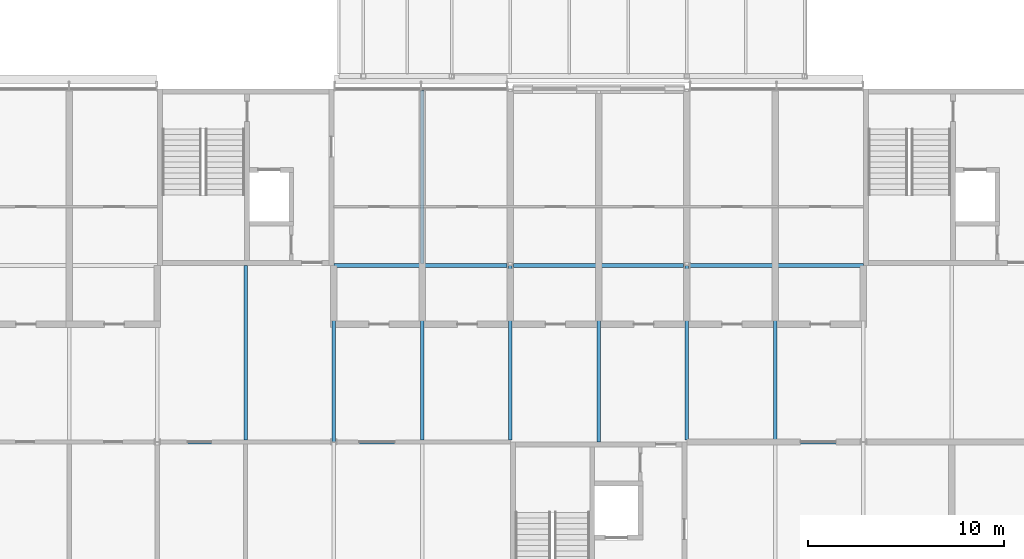
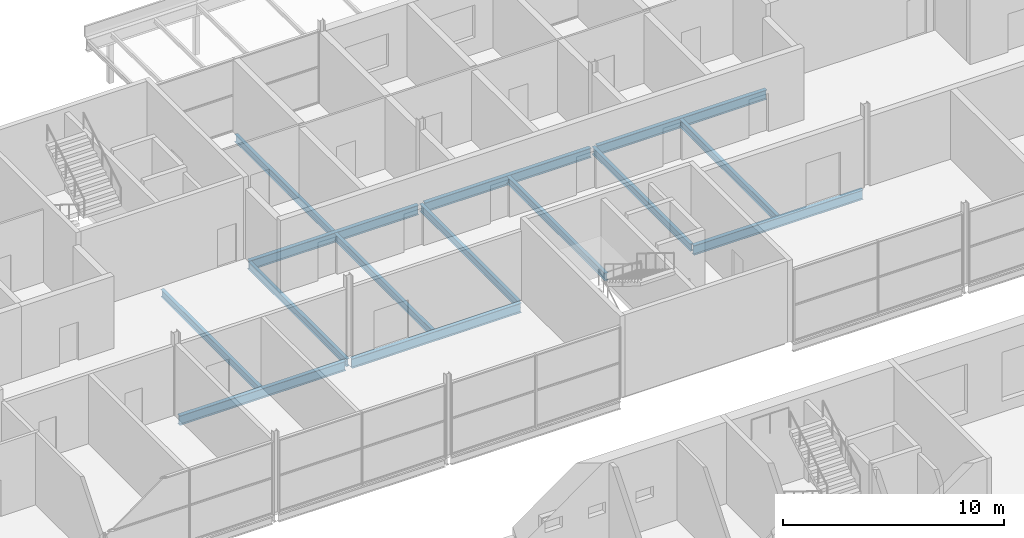
# One storey, part 48 of 97: 14 beams.
"""IFC4 building model written with IfcOpenShell, lengths in metres."""

from ifc_helpers import new_model, si_unit, direction, frame, origin, origin_2d, place, context, subcontext, project, spatial, i_section, extrude, material, material_profile, profile_set, type_object, element, save


model = new_model("IFC4")

# Units and contexts
model_context = context("Model", 3, precision=1e-05, world=origin(), true_north=direction((0.0, 1.0)))
body_context = subcontext(model_context, "Body", "Model", "MODEL_VIEW")
ifc_project = project(units=[si_unit("LENGTHUNIT", "METRE"), si_unit("AREAUNIT", "SQUARE_METRE"), si_unit("VOLUMEUNIT", "CUBIC_METRE"), si_unit("PLANEANGLEUNIT", "RADIAN"), si_unit("MASSUNIT", "GRAM", prefix="KILO")], contexts=[model_context])

# Site, building, storey
site_placement = place(None, origin())
site = spatial("IfcSite", under=ifc_project, at=site_placement, CompositionType="ELEMENT")
building_placement = place(site_placement, origin())
building = spatial("IfcBuilding", under=site, at=building_placement, Name="Corbel Yard City Hall", CompositionType="ELEMENT")
storey_placement = place(building_placement, frame((0.0, 0.0, 6.0)))
storey = spatial("IfcBuildingStorey", under=building, at=storey_placement, Name="L01", CompositionType="ELEMENT", Elevation=6.0)

# Beams
ifc_material = material(Name="Steel Grade 300 (300 MPa yield)", Category="steel")
ifc_material_profile_1 = material_profile(ifc_material, i_section(OverallWidth=0.177978515625, OverallDepth=0.403076171875, WebThickness=0.007568359375, FlangeThickness=0.010986328125, at=origin_2d()), Name="410UB53.7")
ifc_profile_set_1 = profile_set([ifc_material_profile_1], Name="Steel Grade 300 (300 MPa yield)")
beam_type_1 = type_object("IfcBeamType", Name="Beam 410UB53.7", PredefinedType="BEAM", material=ifc_profile_set_1)
for number, where, z_axis, x_axis, name in (
    (1, (72.0, 99.0078125, -0.3515625), (0.0, 1.0, 0.0), (-1.0, 0.0, 0.0), "Beam 410UB53.7 SB6 L01floor"),
    (2, (81.0, 99.1044921875, -0.3515625), (0.0, 1.0, 0.0), (-1.0, 0.0, 0.0), "Beam 410UB53.7 SB6 L01floor"),
    (3, (90.0, 99.1044921875, -0.3515625), (0.0, 1.0, 0.0), (-1.0, 0.0, 0.0), "Beam 410UB53.7 SB6 L01floor"),
):
    element("IfcBeam", number, at=place(storey_placement, frame(where, z_axis=z_axis, x_axis=x_axis)), inside=storey, type_object=beam_type_1, Name=name, PredefinedType="BEAM", context=body_context, shape_type="SweptSolid", body=[
        extrude(i_section(OverallWidth=0.177978515625, OverallDepth=0.403076171875, WebThickness=0.007568359375, FlangeThickness=0.010986328125, at=origin_2d()), origin(), (0.0, 0.0, 1.0), 8.8876953125),
    ])
ifc_material_profile_2 = material_profile(ifc_material, i_section(OverallWidth=0.208984375, OverallDepth=0.528076171875, WebThickness=0.009521484375, FlangeThickness=0.01318359375, at=origin_2d()), Name="530UB82.0")
ifc_profile_set_2 = profile_set([ifc_material_profile_2], Name="Steel Grade 300 (300 MPa yield)")
beam_type_2 = type_object("IfcBeamType", Name="Girder 530UB82.0", PredefinedType="BEAM", material=ifc_profile_set_2)
beam_1_placement = place(storey_placement, frame((63.16357421875, 99.0, -0.4140625), z_axis=(1.0, 0.0, 0.0), x_axis=(0.0, 1.0, 0.0)))
element("IfcBeam", 4, at=beam_1_placement, inside=storey, type_object=beam_type_2, Name="Girder 530UB82.0 GB3 L01floor", PredefinedType="BEAM", context=body_context, shape_type="SweptSolid", body=[
    extrude(i_section(OverallWidth=0.208984375, OverallDepth=0.528076171875, WebThickness=0.009521484375, FlangeThickness=0.01318359375, at=origin_2d()), origin(), (0.0, 0.0, 1.0), 8.6728515625),
])
for number, where, z_axis, x_axis, name in (
    (5, (72.16357421875, 99.0, -0.4140625), (1.0, 0.0, 0.0), (0.0, 1.0, 0.0), "Girder 530UB82.0 GB3 L01floor"),
    (6, (90.0, 99.0, -0.4140625), (1.0, 0.0, 0.0), (0.0, 1.0, 0.0), "Girder 530UB82.0 GB3 L01floor"),
    (7, (72.0, 108.0, -0.4140625), (1.0, 0.0, 0.0), (0.0, 1.0, 0.0), "Girder 530UB82.0 GB3 L01floor"),
):
    element("IfcBeam", number, at=place(storey_placement, frame(where, z_axis=z_axis, x_axis=x_axis)), inside=storey, type_object=beam_type_2, Name=name, PredefinedType="BEAM", context=body_context, shape_type="SweptSolid", body=[
        extrude(i_section(OverallWidth=0.208984375, OverallDepth=0.528076171875, WebThickness=0.009521484375, FlangeThickness=0.01318359375, at=origin_2d()), origin(), (0.0, 0.0, 1.0), 8.83642578125),
    ])
beam_2_placement = place(storey_placement, frame((81.16357421875, 108.0, -0.4140625), z_axis=(1.0, 0.0, 0.0), x_axis=(0.0, 1.0, 0.0)))
element("IfcBeam", 8, at=beam_2_placement, inside=storey, type_object=beam_type_2, Name="Girder 530UB82.0 GB3 L01floor", PredefinedType="BEAM", context=body_context, shape_type="SweptSolid", body=[
    extrude(i_section(OverallWidth=0.208984375, OverallDepth=0.528076171875, WebThickness=0.009521484375, FlangeThickness=0.01318359375, at=origin_2d()), origin(), (0.0, 0.0, 1.0), 8.6728515625),
])
beam_3_placement = place(storey_placement, frame((90.16357421875, 108.0, -0.4140625), z_axis=(1.0, 0.0, 0.0), x_axis=(0.0, 1.0, 0.0)))
element("IfcBeam", 9, at=beam_3_placement, inside=storey, type_object=beam_type_2, Name="Girder 530UB82.0 GB3 L01floor", PredefinedType="BEAM", context=body_context, shape_type="SweptSolid", body=[
    extrude(i_section(OverallWidth=0.208984375, OverallDepth=0.528076171875, WebThickness=0.009521484375, FlangeThickness=0.01318359375, at=origin_2d()), origin(), (0.0, 0.0, 1.0), 8.83642578125),
])
ifc_material_profile_3 = material_profile(ifc_material, i_section(OverallWidth=0.177978515625, OverallDepth=0.403076171875, WebThickness=0.007568359375, FlangeThickness=0.010986328125, at=origin_2d()), Name="410UB53.7")
ifc_profile_set_3 = profile_set([ifc_material_profile_3], Name="Steel Grade 300 (300 MPa yield)")
beam_type_3 = type_object("IfcBeamType", Name="Secondary beam 410UB53.7", PredefinedType="JOIST", material=ifc_profile_set_3)
beam_4_placement = place(storey_placement, frame((67.5, 99.1044921875, -0.3515625), z_axis=(0.0, 1.0, 0.0), x_axis=(-1.0, 0.0, 0.0)))
element("IfcBeam", 10, at=beam_4_placement, inside=storey, type_object=beam_type_3, Name="Secondary beam 410UB53.7 SB5 L01floor", PredefinedType="JOIST", context=body_context, shape_type="SweptSolid", body=[
    extrude(i_section(OverallWidth=0.177978515625, OverallDepth=0.403076171875, WebThickness=0.007568359375, FlangeThickness=0.010986328125, at=origin_2d()), origin(), (0.0, 0.0, 1.0), 8.8955078125),
])
beam_5_placement = place(storey_placement, frame((76.5, 99.1044921875, -0.3515625), z_axis=(0.0, 1.0, 0.0), x_axis=(-1.0, 0.0, 0.0)))
element("IfcBeam", 11, at=beam_5_placement, inside=storey, type_object=beam_type_3, Name="Secondary beam 410UB53.7 SB5 L01floor", PredefinedType="JOIST", context=body_context, shape_type="SweptSolid", body=[
    extrude(i_section(OverallWidth=0.177978515625, OverallDepth=0.403076171875, WebThickness=0.007568359375, FlangeThickness=0.010986328125, at=origin_2d()), origin(), (0.0, 0.0, 1.0), 8.791015625),
])
beam_6_placement = place(storey_placement, frame((76.5, 108.1044921875, -0.3515625), z_axis=(0.0, 1.0, 0.0), x_axis=(-1.0, 0.0, 0.0)))
element("IfcBeam", 12, at=beam_6_placement, inside=storey, type_object=beam_type_3, Name="Secondary beam 410UB53.7 SB5 L01floor", PredefinedType="JOIST", context=body_context, shape_type="SweptSolid", body=[
    extrude(i_section(OverallWidth=0.177978515625, OverallDepth=0.403076171875, WebThickness=0.007568359375, FlangeThickness=0.010986328125, at=origin_2d()), origin(), (0.0, 0.0, 1.0), 8.806396484375),
])
beam_7_placement = place(storey_placement, frame((85.5, 99.0, -0.3515625), z_axis=(0.0, 1.0, 0.0), x_axis=(-1.0, 0.0, 0.0)))
element("IfcBeam", 13, at=beam_7_placement, inside=storey, type_object=beam_type_3, Name="Secondary beam 410UB53.7 SB5 L01floor", PredefinedType="JOIST", context=body_context, shape_type="SweptSolid", body=[
    extrude(i_section(OverallWidth=0.177978515625, OverallDepth=0.403076171875, WebThickness=0.007568359375, FlangeThickness=0.010986328125, at=origin_2d()), origin(), (0.0, 0.0, 1.0), 8.8955078125),
])
beam_8_placement = place(storey_placement, frame((94.5, 99.1044921875, -0.3515625), z_axis=(0.0, 1.0, 0.0), x_axis=(-1.0, 0.0, 0.0)))
element("IfcBeam", 14, at=beam_8_placement, inside=storey, type_object=beam_type_3, Name="Secondary beam 410UB53.7 SB5 L01floor", PredefinedType="JOIST", context=body_context, shape_type="SweptSolid", body=[
    extrude(i_section(OverallWidth=0.177978515625, OverallDepth=0.403076171875, WebThickness=0.007568359375, FlangeThickness=0.010986328125, at=origin_2d()), origin(), (0.0, 0.0, 1.0), 8.791015625),
])

save(model, "model.ifc")
